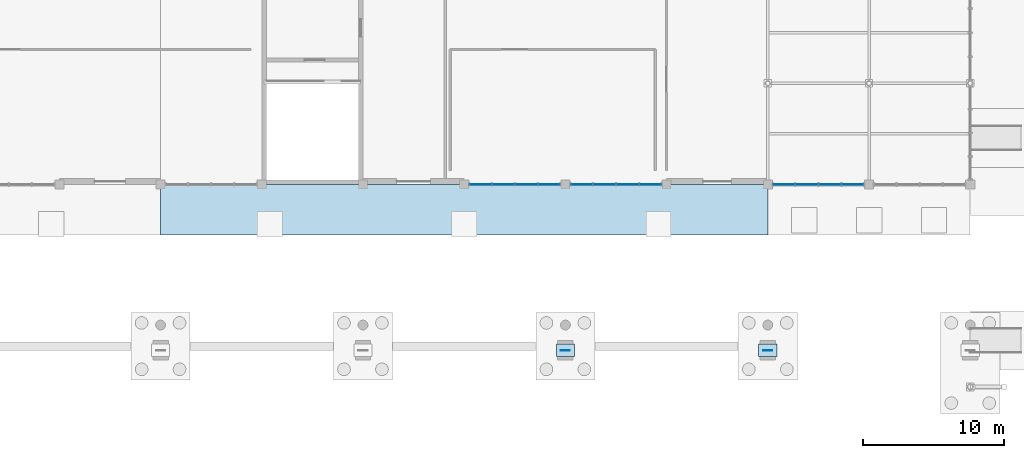
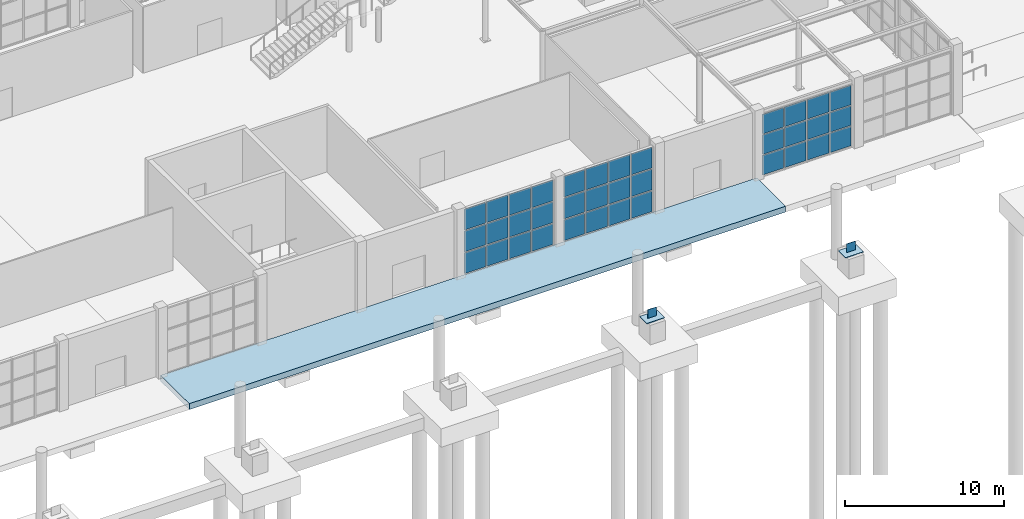
# One storey, part 42 of 75: 40 plates, 1 slab, 3 elements without a shape of their own.
"""IFC4 building model written with IfcOpenShell, lengths in metres."""

from ifc_helpers import new_model, si_unit, direction, frame, origin, origin_2d, place, context, subcontext, project, spatial, polyline, rectangle, outline, extrude, material, layer, layer_set, type_object, element, aggregate, save


model = new_model("IFC4")

# Units and contexts
model_context = context("Model", 3, precision=1e-05, world=origin(), true_north=direction((0.0, 1.0)))
body_context = subcontext(model_context, "Body", "Model", "MODEL_VIEW")
ifc_project = project(units=[si_unit("LENGTHUNIT", "METRE"), si_unit("AREAUNIT", "SQUARE_METRE"), si_unit("VOLUMEUNIT", "CUBIC_METRE"), si_unit("PLANEANGLEUNIT", "RADIAN"), si_unit("MASSUNIT", "GRAM", prefix="KILO")], contexts=[model_context])

# Site, building, storey
site_placement = place(None, origin())
site = spatial("IfcSite", under=ifc_project, at=site_placement, CompositionType="ELEMENT")
building_placement = place(site_placement, origin())
building = spatial("IfcBuilding", under=site, at=building_placement, Name="Leyfeld Transit Interchange", CompositionType="ELEMENT")
storey_placement = place(building_placement, origin())
storey = spatial("IfcBuildingStorey", under=building, at=storey_placement, Name="L00", CompositionType="ELEMENT", Elevation=0.0)

# Curtain wall, plates
ifc_material_1 = material(Name="Anodised aluminium EN AW-6060 T66", Category="aluminium")
curtain_wall_type = type_object("IfcCurtainWallType", Name="CW-SYS-ARC-7200", PredefinedType="NOTDEFINED", material=ifc_material_1)
curtain_wall_1_placement = place(storey_placement, origin())
curtain_wall_1 = element("IfcCurtainWall", 1, at=curtain_wall_1_placement, inside=storey, type_object=curtain_wall_type, Name="Curtain Wall CW-L00-033", PredefinedType="NOTDEFINED")
ifc_material_2 = material(Name="Triple low-E insulated glazing", Category="glass")
ifc_layer_1 = layer(ifc_material_2, 0.0439453125, Name="Triple low-E insulated glazing")
ifc_layer_set_1 = layer_set([ifc_layer_1], Name="Triple low-E insulated glazing")
plate_type_1 = type_object("IfcPlateType", Name="CW-PNL-GLZ-44", PredefinedType="CURTAIN_PANEL", material=ifc_layer_set_1)
plate_1_placement = place(storey_placement, frame((92.4423828125, 14.39990234375, 0.08349609375), z_axis=(0.0, 0.0, 1.0), x_axis=(-1.0, 0.0, 0.0)))
plate_1 = element("IfcPlate", 2, at=plate_1_placement, type_object=plate_type_1, Name="Glazed Curtain Panel CW-L00-033-P01_1", PredefinedType="CURTAIN_PANEL", context=body_context, shape_type="SweptSolid", body=[
    extrude(rectangle(XDim=1.51806640625, YDim=0.0439453125, at=origin_2d()), origin(), (0.0, 0.0, 1.0), 1.48974609375),
])
plate_2_placement = place(storey_placement, frame((92.4423828125, 14.39990234375, 1.6552734375), z_axis=(0.0, 0.0, 1.0), x_axis=(-1.0, 0.0, 0.0)))
plate_2 = element("IfcPlate", 3, at=plate_2_placement, type_object=plate_type_1, Name="Glazed Curtain Panel CW-L00-033-P01_2", PredefinedType="CURTAIN_PANEL", context=body_context, shape_type="SweptSolid", body=[
    extrude(rectangle(XDim=1.51806640625, YDim=0.0439453125, at=origin_2d()), origin(), (0.0, 0.0, 1.0), 1.489501953125),
])
plate_3_placement = place(storey_placement, frame((92.4423828125, 14.39990234375, 3.226806640625), z_axis=(0.0, 0.0, 1.0), x_axis=(-1.0, 0.0, 0.0)))
plate_3 = element("IfcPlate", 4, at=plate_3_placement, type_object=plate_type_1, Name="Glazed Curtain Panel CW-L00-033-P01_3", PredefinedType="CURTAIN_PANEL", context=body_context, shape_type="SweptSolid", body=[
    extrude(rectangle(XDim=1.51806640625, YDim=0.0439453125, at=origin_2d()), origin(), (0.0, 0.0, 1.0), 1.48974609375),
])
plate_4_placement = place(storey_placement, frame((90.8212890625, 14.39990234375, 0.08349609375), z_axis=(0.0, 0.0, 1.0), x_axis=(-1.0, 0.0, 0.0)))
plate_4 = element("IfcPlate", 5, at=plate_4_placement, type_object=plate_type_1, Name="Glazed Curtain Panel CW-L00-033-P02_1", PredefinedType="CURTAIN_PANEL", context=body_context, shape_type="SweptSolid", body=[
    extrude(rectangle(XDim=1.560546875, YDim=0.0439453125, at=origin_2d()), origin(), (0.0, 0.0, 1.0), 1.48974609375),
])
plate_5_placement = place(storey_placement, frame((90.8212890625, 14.39990234375, 1.6552734375), z_axis=(0.0, 0.0, 1.0), x_axis=(-1.0, 0.0, 0.0)))
plate_5 = element("IfcPlate", 6, at=plate_5_placement, type_object=plate_type_1, Name="Glazed Curtain Panel CW-L00-033-P02_2", PredefinedType="CURTAIN_PANEL", context=body_context, shape_type="SweptSolid", body=[
    extrude(rectangle(XDim=1.560546875, YDim=0.0439453125, at=origin_2d()), origin(), (0.0, 0.0, 1.0), 1.489501953125),
])
plate_6_placement = place(storey_placement, frame((90.8212890625, 14.39990234375, 3.226806640625), z_axis=(0.0, 0.0, 1.0), x_axis=(-1.0, 0.0, 0.0)))
plate_6 = element("IfcPlate", 7, at=plate_6_placement, type_object=plate_type_1, Name="Glazed Curtain Panel CW-L00-033-P02_3", PredefinedType="CURTAIN_PANEL", context=body_context, shape_type="SweptSolid", body=[
    extrude(rectangle(XDim=1.560546875, YDim=0.0439453125, at=origin_2d()), origin(), (0.0, 0.0, 1.0), 1.48974609375),
])
plate_7_placement = place(storey_placement, frame((89.1787109375, 14.39990234375, 0.08349609375), z_axis=(0.0, 0.0, 1.0), x_axis=(-1.0, 0.0, 0.0)))
plate_7 = element("IfcPlate", 8, at=plate_7_placement, type_object=plate_type_1, Name="Glazed Curtain Panel CW-L00-033-P03_1", PredefinedType="CURTAIN_PANEL", context=body_context, shape_type="SweptSolid", body=[
    extrude(rectangle(XDim=1.560546875, YDim=0.0439453125, at=origin_2d()), origin(), (0.0, 0.0, 1.0), 1.48974609375),
])
plate_8_placement = place(storey_placement, frame((89.1787109375, 14.39990234375, 1.6552734375), z_axis=(0.0, 0.0, 1.0), x_axis=(-1.0, 0.0, 0.0)))
plate_8 = element("IfcPlate", 9, at=plate_8_placement, type_object=plate_type_1, Name="Glazed Curtain Panel CW-L00-033-P03_2", PredefinedType="CURTAIN_PANEL", context=body_context, shape_type="SweptSolid", body=[
    extrude(rectangle(XDim=1.560546875, YDim=0.0439453125, at=origin_2d()), origin(), (0.0, 0.0, 1.0), 1.489501953125),
])
plate_9_placement = place(storey_placement, frame((89.1787109375, 14.39990234375, 3.226806640625), z_axis=(0.0, 0.0, 1.0), x_axis=(-1.0, 0.0, 0.0)))
plate_9 = element("IfcPlate", 10, at=plate_9_placement, type_object=plate_type_1, Name="Glazed Curtain Panel CW-L00-033-P03_3", PredefinedType="CURTAIN_PANEL", context=body_context, shape_type="SweptSolid", body=[
    extrude(rectangle(XDim=1.560546875, YDim=0.0439453125, at=origin_2d()), origin(), (0.0, 0.0, 1.0), 1.48974609375),
])
plate_10_placement = place(storey_placement, frame((87.5576171875, 14.39990234375, 0.08349609375), z_axis=(0.0, 0.0, 1.0), x_axis=(-1.0, 0.0, 0.0)))
plate_10 = element("IfcPlate", 11, at=plate_10_placement, type_object=plate_type_1, Name="Glazed Curtain Panel CW-L00-033-P04_1", PredefinedType="CURTAIN_PANEL", context=body_context, shape_type="SweptSolid", body=[
    extrude(rectangle(XDim=1.51806640625, YDim=0.0439453125, at=origin_2d()), origin(), (0.0, 0.0, 1.0), 1.48974609375),
])
plate_11_placement = place(storey_placement, frame((87.5576171875, 14.39990234375, 1.6552734375), z_axis=(0.0, 0.0, 1.0), x_axis=(-1.0, 0.0, 0.0)))
plate_11 = element("IfcPlate", 12, at=plate_11_placement, type_object=plate_type_1, Name="Glazed Curtain Panel CW-L00-033-P04_2", PredefinedType="CURTAIN_PANEL", context=body_context, shape_type="SweptSolid", body=[
    extrude(rectangle(XDim=1.51806640625, YDim=0.0439453125, at=origin_2d()), origin(), (0.0, 0.0, 1.0), 1.489501953125),
])
plate_12_placement = place(storey_placement, frame((87.5576171875, 14.39990234375, 3.226806640625), z_axis=(0.0, 0.0, 1.0), x_axis=(-1.0, 0.0, 0.0)))
plate_12 = element("IfcPlate", 13, at=plate_12_placement, type_object=plate_type_1, Name="Glazed Curtain Panel CW-L00-033-P04_3", PredefinedType="CURTAIN_PANEL", context=body_context, shape_type="SweptSolid", body=[
    extrude(rectangle(XDim=1.51806640625, YDim=0.0439453125, at=origin_2d()), origin(), (0.0, 0.0, 1.0), 1.48974609375),
])
aggregate(curtain_wall_1, [plate_1, plate_2, plate_3, plate_4, plate_5, plate_6, plate_7, plate_8, plate_9, plate_10, plate_11, plate_12])

curtain_wall_2_placement = place(storey_placement, origin())
curtain_wall_2 = element("IfcCurtainWall", 14, at=curtain_wall_2_placement, inside=storey, type_object=curtain_wall_type, Name="Curtain Wall CW-L00-034", PredefinedType="NOTDEFINED")
plate_13_placement = place(storey_placement, frame((78.04248046875, 14.39990234375, 0.08349609375), z_axis=(0.0, 0.0, 1.0), x_axis=(-1.0, 0.0, 0.0)))
plate_13 = element("IfcPlate", 15, at=plate_13_placement, type_object=plate_type_1, Name="Glazed Curtain Panel CW-L00-034-P01_1", PredefinedType="CURTAIN_PANEL", context=body_context, shape_type="SweptSolid", body=[
    extrude(rectangle(XDim=1.51806640625, YDim=0.0439453125, at=origin_2d()), origin(), (0.0, 0.0, 1.0), 1.589599609375),
])
plate_14_placement = place(storey_placement, frame((78.04248046875, 14.39990234375, 1.75537109375), z_axis=(0.0, 0.0, 1.0), x_axis=(-1.0, 0.0, 0.0)))
plate_14 = element("IfcPlate", 16, at=plate_14_placement, type_object=plate_type_1, Name="Glazed Curtain Panel CW-L00-034-P01_2", PredefinedType="CURTAIN_PANEL", context=body_context, shape_type="SweptSolid", body=[
    extrude(rectangle(XDim=1.51806640625, YDim=0.0439453125, at=origin_2d()), origin(), (0.0, 0.0, 1.0), 1.589599609375),
])
plate_15_placement = place(storey_placement, frame((78.04248046875, 14.39990234375, 3.4267578125), z_axis=(0.0, 0.0, 1.0), x_axis=(-1.0, 0.0, 0.0)))
plate_15 = element("IfcPlate", 17, at=plate_15_placement, type_object=plate_type_1, Name="Glazed Curtain Panel CW-L00-034-P01_3", PredefinedType="CURTAIN_PANEL", context=body_context, shape_type="SweptSolid", body=[
    extrude(rectangle(XDim=1.51806640625, YDim=0.0439453125, at=origin_2d()), origin(), (0.0, 0.0, 1.0), 1.589599609375),
])
plate_16_placement = place(storey_placement, frame((76.42138671875, 14.39990234375, 0.08349609375), z_axis=(0.0, 0.0, 1.0), x_axis=(-1.0, 0.0, 0.0)))
plate_16 = element("IfcPlate", 18, at=plate_16_placement, type_object=plate_type_1, Name="Glazed Curtain Panel CW-L00-034-P02_1", PredefinedType="CURTAIN_PANEL", context=body_context, shape_type="SweptSolid", body=[
    extrude(rectangle(XDim=1.560546875, YDim=0.0439453125, at=origin_2d()), origin(), (0.0, 0.0, 1.0), 1.589599609375),
])
plate_17_placement = place(storey_placement, frame((76.42138671875, 14.39990234375, 1.75537109375), z_axis=(0.0, 0.0, 1.0), x_axis=(-1.0, 0.0, 0.0)))
plate_17 = element("IfcPlate", 19, at=plate_17_placement, type_object=plate_type_1, Name="Glazed Curtain Panel CW-L00-034-P02_2", PredefinedType="CURTAIN_PANEL", context=body_context, shape_type="SweptSolid", body=[
    extrude(rectangle(XDim=1.560546875, YDim=0.0439453125, at=origin_2d()), origin(), (0.0, 0.0, 1.0), 1.589599609375),
])
plate_18_placement = place(storey_placement, frame((76.42138671875, 14.39990234375, 3.4267578125), z_axis=(0.0, 0.0, 1.0), x_axis=(-1.0, 0.0, 0.0)))
plate_18 = element("IfcPlate", 20, at=plate_18_placement, type_object=plate_type_1, Name="Glazed Curtain Panel CW-L00-034-P02_3", PredefinedType="CURTAIN_PANEL", context=body_context, shape_type="SweptSolid", body=[
    extrude(rectangle(XDim=1.560546875, YDim=0.0439453125, at=origin_2d()), origin(), (0.0, 0.0, 1.0), 1.589599609375),
])
plate_19_placement = place(storey_placement, frame((74.77880859375, 14.39990234375, 0.08349609375), z_axis=(0.0, 0.0, 1.0), x_axis=(-1.0, 0.0, 0.0)))
plate_19 = element("IfcPlate", 21, at=plate_19_placement, type_object=plate_type_1, Name="Glazed Curtain Panel CW-L00-034-P03_1", PredefinedType="CURTAIN_PANEL", context=body_context, shape_type="SweptSolid", body=[
    extrude(rectangle(XDim=1.560546875, YDim=0.0439453125, at=origin_2d()), origin(), (0.0, 0.0, 1.0), 1.589599609375),
])
plate_20_placement = place(storey_placement, frame((74.77880859375, 14.39990234375, 1.75537109375), z_axis=(0.0, 0.0, 1.0), x_axis=(-1.0, 0.0, 0.0)))
plate_20 = element("IfcPlate", 22, at=plate_20_placement, type_object=plate_type_1, Name="Glazed Curtain Panel CW-L00-034-P03_2", PredefinedType="CURTAIN_PANEL", context=body_context, shape_type="SweptSolid", body=[
    extrude(rectangle(XDim=1.560546875, YDim=0.0439453125, at=origin_2d()), origin(), (0.0, 0.0, 1.0), 1.589599609375),
])
plate_21_placement = place(storey_placement, frame((74.77880859375, 14.39990234375, 3.4267578125), z_axis=(0.0, 0.0, 1.0), x_axis=(-1.0, 0.0, 0.0)))
plate_21 = element("IfcPlate", 23, at=plate_21_placement, type_object=plate_type_1, Name="Glazed Curtain Panel CW-L00-034-P03_3", PredefinedType="CURTAIN_PANEL", context=body_context, shape_type="SweptSolid", body=[
    extrude(rectangle(XDim=1.560546875, YDim=0.0439453125, at=origin_2d()), origin(), (0.0, 0.0, 1.0), 1.589599609375),
])
plate_22_placement = place(storey_placement, frame((73.157470703125, 14.39990234375, 0.08349609375), z_axis=(0.0, 0.0, 1.0), x_axis=(-1.0, 0.0, 0.0)))
plate_22 = element("IfcPlate", 24, at=plate_22_placement, type_object=plate_type_1, Name="Glazed Curtain Panel CW-L00-034-P04_1", PredefinedType="CURTAIN_PANEL", context=body_context, shape_type="SweptSolid", body=[
    extrude(rectangle(XDim=1.51806640625, YDim=0.0439453125, at=origin_2d()), origin(), (0.0, 0.0, 1.0), 1.589599609375),
])
plate_23_placement = place(storey_placement, frame((73.157470703125, 14.39990234375, 1.75537109375), z_axis=(0.0, 0.0, 1.0), x_axis=(-1.0, 0.0, 0.0)))
plate_23 = element("IfcPlate", 25, at=plate_23_placement, type_object=plate_type_1, Name="Glazed Curtain Panel CW-L00-034-P04_2", PredefinedType="CURTAIN_PANEL", context=body_context, shape_type="SweptSolid", body=[
    extrude(rectangle(XDim=1.51806640625, YDim=0.0439453125, at=origin_2d()), origin(), (0.0, 0.0, 1.0), 1.589599609375),
])
plate_24_placement = place(storey_placement, frame((73.157470703125, 14.39990234375, 3.4267578125), z_axis=(0.0, 0.0, 1.0), x_axis=(-1.0, 0.0, 0.0)))
plate_24 = element("IfcPlate", 26, at=plate_24_placement, type_object=plate_type_1, Name="Glazed Curtain Panel CW-L00-034-P04_3", PredefinedType="CURTAIN_PANEL", context=body_context, shape_type="SweptSolid", body=[
    extrude(rectangle(XDim=1.51806640625, YDim=0.0439453125, at=origin_2d()), origin(), (0.0, 0.0, 1.0), 1.589599609375),
])
aggregate(curtain_wall_2, [plate_13, plate_14, plate_15, plate_16, plate_17, plate_18, plate_19, plate_20, plate_21, plate_22, plate_23, plate_24])

curtain_wall_3_placement = place(storey_placement, origin())
curtain_wall_3 = element("IfcCurtainWall", 27, at=curtain_wall_3_placement, inside=storey, type_object=curtain_wall_type, Name="Curtain Wall CW-L00-035", PredefinedType="NOTDEFINED")
plate_25_placement = place(storey_placement, frame((70.842529296875, 14.39990234375, 0.08349609375), z_axis=(0.0, 0.0, 1.0), x_axis=(-1.0, 0.0, 0.0)))
plate_25 = element("IfcPlate", 28, at=plate_25_placement, type_object=plate_type_1, Name="Glazed Curtain Panel CW-L00-035-P01_1", PredefinedType="CURTAIN_PANEL", context=body_context, shape_type="SweptSolid", body=[
    extrude(rectangle(XDim=1.51806640625, YDim=0.0439453125, at=origin_2d()), origin(), (0.0, 0.0, 1.0), 1.589599609375),
])
plate_26_placement = place(storey_placement, frame((70.842529296875, 14.39990234375, 1.75537109375), z_axis=(0.0, 0.0, 1.0), x_axis=(-1.0, 0.0, 0.0)))
plate_26 = element("IfcPlate", 29, at=plate_26_placement, type_object=plate_type_1, Name="Glazed Curtain Panel CW-L00-035-P01_2", PredefinedType="CURTAIN_PANEL", context=body_context, shape_type="SweptSolid", body=[
    extrude(rectangle(XDim=1.51806640625, YDim=0.0439453125, at=origin_2d()), origin(), (0.0, 0.0, 1.0), 1.589599609375),
])
plate_27_placement = place(storey_placement, frame((70.842529296875, 14.39990234375, 3.4267578125), z_axis=(0.0, 0.0, 1.0), x_axis=(-1.0, 0.0, 0.0)))
plate_27 = element("IfcPlate", 30, at=plate_27_placement, type_object=plate_type_1, Name="Glazed Curtain Panel CW-L00-035-P01_3", PredefinedType="CURTAIN_PANEL", context=body_context, shape_type="SweptSolid", body=[
    extrude(rectangle(XDim=1.51806640625, YDim=0.0439453125, at=origin_2d()), origin(), (0.0, 0.0, 1.0), 1.589599609375),
])
plate_28_placement = place(storey_placement, frame((69.22119140625, 14.39990234375, 0.08349609375), z_axis=(0.0, 0.0, 1.0), x_axis=(-1.0, 0.0, 0.0)))
plate_28 = element("IfcPlate", 31, at=plate_28_placement, type_object=plate_type_1, Name="Glazed Curtain Panel CW-L00-035-P02_1", PredefinedType="CURTAIN_PANEL", context=body_context, shape_type="SweptSolid", body=[
    extrude(rectangle(XDim=1.560546875, YDim=0.0439453125, at=origin_2d()), origin(), (0.0, 0.0, 1.0), 1.589599609375),
])
plate_29_placement = place(storey_placement, frame((69.22119140625, 14.39990234375, 1.75537109375), z_axis=(0.0, 0.0, 1.0), x_axis=(-1.0, 0.0, 0.0)))
plate_29 = element("IfcPlate", 32, at=plate_29_placement, type_object=plate_type_1, Name="Glazed Curtain Panel CW-L00-035-P02_2", PredefinedType="CURTAIN_PANEL", context=body_context, shape_type="SweptSolid", body=[
    extrude(rectangle(XDim=1.560546875, YDim=0.0439453125, at=origin_2d()), origin(), (0.0, 0.0, 1.0), 1.589599609375),
])
plate_30_placement = place(storey_placement, frame((69.22119140625, 14.39990234375, 3.4267578125), z_axis=(0.0, 0.0, 1.0), x_axis=(-1.0, 0.0, 0.0)))
plate_30 = element("IfcPlate", 33, at=plate_30_placement, type_object=plate_type_1, Name="Glazed Curtain Panel CW-L00-035-P02_3", PredefinedType="CURTAIN_PANEL", context=body_context, shape_type="SweptSolid", body=[
    extrude(rectangle(XDim=1.560546875, YDim=0.0439453125, at=origin_2d()), origin(), (0.0, 0.0, 1.0), 1.589599609375),
])
plate_31_placement = place(storey_placement, frame((67.57861328125, 14.39990234375, 0.08349609375), z_axis=(0.0, 0.0, 1.0), x_axis=(-1.0, 0.0, 0.0)))
plate_31 = element("IfcPlate", 34, at=plate_31_placement, type_object=plate_type_1, Name="Glazed Curtain Panel CW-L00-035-P03_1", PredefinedType="CURTAIN_PANEL", context=body_context, shape_type="SweptSolid", body=[
    extrude(rectangle(XDim=1.560546875, YDim=0.0439453125, at=origin_2d()), origin(), (0.0, 0.0, 1.0), 1.589599609375),
])
plate_32_placement = place(storey_placement, frame((67.57861328125, 14.39990234375, 1.75537109375), z_axis=(0.0, 0.0, 1.0), x_axis=(-1.0, 0.0, 0.0)))
plate_32 = element("IfcPlate", 35, at=plate_32_placement, type_object=plate_type_1, Name="Glazed Curtain Panel CW-L00-035-P03_2", PredefinedType="CURTAIN_PANEL", context=body_context, shape_type="SweptSolid", body=[
    extrude(rectangle(XDim=1.560546875, YDim=0.0439453125, at=origin_2d()), origin(), (0.0, 0.0, 1.0), 1.589599609375),
])
plate_33_placement = place(storey_placement, frame((67.57861328125, 14.39990234375, 3.4267578125), z_axis=(0.0, 0.0, 1.0), x_axis=(-1.0, 0.0, 0.0)))
plate_33 = element("IfcPlate", 36, at=plate_33_placement, type_object=plate_type_1, Name="Glazed Curtain Panel CW-L00-035-P03_3", PredefinedType="CURTAIN_PANEL", context=body_context, shape_type="SweptSolid", body=[
    extrude(rectangle(XDim=1.560546875, YDim=0.0439453125, at=origin_2d()), origin(), (0.0, 0.0, 1.0), 1.589599609375),
])
plate_34_placement = place(storey_placement, frame((65.95751953125, 14.39990234375, 0.08349609375), z_axis=(0.0, 0.0, 1.0), x_axis=(-1.0, 0.0, 0.0)))
plate_34 = element("IfcPlate", 37, at=plate_34_placement, type_object=plate_type_1, Name="Glazed Curtain Panel CW-L00-035-P04_1", PredefinedType="CURTAIN_PANEL", context=body_context, shape_type="SweptSolid", body=[
    extrude(rectangle(XDim=1.51806640625, YDim=0.0439453125, at=origin_2d()), origin(), (0.0, 0.0, 1.0), 1.589599609375),
])
plate_35_placement = place(storey_placement, frame((65.95751953125, 14.39990234375, 1.75537109375), z_axis=(0.0, 0.0, 1.0), x_axis=(-1.0, 0.0, 0.0)))
plate_35 = element("IfcPlate", 38, at=plate_35_placement, type_object=plate_type_1, Name="Glazed Curtain Panel CW-L00-035-P04_2", PredefinedType="CURTAIN_PANEL", context=body_context, shape_type="SweptSolid", body=[
    extrude(rectangle(XDim=1.51806640625, YDim=0.0439453125, at=origin_2d()), origin(), (0.0, 0.0, 1.0), 1.589599609375),
])
plate_36_placement = place(storey_placement, frame((65.95751953125, 14.39990234375, 3.4267578125), z_axis=(0.0, 0.0, 1.0), x_axis=(-1.0, 0.0, 0.0)))
plate_36 = element("IfcPlate", 39, at=plate_36_placement, type_object=plate_type_1, Name="Glazed Curtain Panel CW-L00-035-P04_3", PredefinedType="CURTAIN_PANEL", context=body_context, shape_type="SweptSolid", body=[
    extrude(rectangle(XDim=1.51806640625, YDim=0.0439453125, at=origin_2d()), origin(), (0.0, 0.0, 1.0), 1.589599609375),
])
aggregate(curtain_wall_3, [plate_25, plate_26, plate_27, plate_28, plate_29, plate_30, plate_31, plate_32, plate_33, plate_34, plate_35, plate_36])

# Plates
ifc_material_3 = material(Name="Steel S355J2", Category="steel")
ifc_layer_2 = layer(ifc_material_3, 0.035888671875, Name="Steel S355J2")
ifc_layer_set_2 = layer_set([ifc_layer_2], Name="Steel S355J2")
plate_type_2 = type_object("IfcPlateType", Name="PLT-BASE-36", PredefinedType="USERDEFINED", material=ifc_layer_set_2)
for number, where, z_axis, x_axis, name in (
    (40, (72.0, 2.60009765625, 1.5), (0.0, 0.0, 1.0), (1.0, 0.0, 0.0), "Arch Baseplate AR-05 1"),
    (41, (86.39990234375, 2.60009765625, 1.5), (0.0, 0.0, 1.0), (1.0, 0.0, 0.0), "Arch Baseplate AR-06 1"),
):
    element("IfcPlate", number, at=place(storey_placement, frame(where, z_axis=z_axis, x_axis=x_axis)), inside=storey, type_object=plate_type_2, Name=name, ObjectType="BASE_PLATE", PredefinedType="USERDEFINED", context=body_context, shape_type="SweptSolid", body=[
        extrude(rectangle(XDim=1.300048828125, YDim=0.89990234375, at=origin_2d()), origin(), (0.0, 0.0, 1.0), 0.035888671875),
    ])
ifc_material_4 = material(Name="Steel S355J2 - Ochre Arch", Category="steel")
ifc_layer_3 = layer(ifc_material_4, 0.030029296875, Name="Steel S355J2 - Ochre Arch")
ifc_layer_set_3 = layer_set([ifc_layer_3], Name="Steel S355J2 - Ochre Arch")
plate_type_3 = type_object("IfcPlateType", Name="PLT-CAP-30", PredefinedType="USERDEFINED", material=ifc_layer_set_3)
for number, where, z_axis, x_axis, name in (
    (42, (72.0, 2.60009765625, 1.099853515625), (0.0, 0.0, 1.0), (1.0, 0.0, 0.0), "Arch End Cap Plate AR-05 1"),
    (43, (86.39990234375, 2.60009765625, 1.099853515625), (0.0, 0.0, 1.0), (1.0, 0.0, 0.0), "Arch End Cap Plate AR-06 1"),
):
    element("IfcPlate", number, at=place(storey_placement, frame(where, z_axis=z_axis, x_axis=x_axis)), inside=storey, type_object=plate_type_3, Name=name, ObjectType="FLANGE_PLATE", PredefinedType="USERDEFINED", context=body_context, shape_type="SweptSolid", body=[
        extrude(rectangle(XDim=0.64990234375, YDim=0.030029296875, at=origin_2d()), origin(), (0.0, 0.0, 1.0), 1.10009765625),
    ])

# Slab
ifc_material_5 = material(Name="Concrete C40/50", Category="concrete")
ifc_layer_4 = layer(ifc_material_5, 0.449951171875, Name="Concrete C40/50")
ifc_layer_set_4 = layer_set([ifc_layer_4], Name="Concrete C40/50")
slab_type = type_object("IfcSlabType", Name="SLB-TRF-450", PredefinedType="FLOOR", material=ifc_layer_set_4)
slab_placement = place(storey_placement, frame((0.0, 0.0, -0.449951171875)))
element("IfcSlab", 44, at=slab_placement, inside=storey, type_object=slab_type, Name="Outdoor Roof Terrace PLZ_LID1 L00", PredefinedType="FLOOR", context=body_context, shape_type="SweptSolid", body=[
    extrude(outline(polyline([(43.199951171875, 14.39990234375), (43.199951171875, 10.800048828125), (86.39990234375, 10.800048828125), (86.39990234375, 14.39990234375), (43.199951171875, 14.39990234375)])), origin(), (0.0, 0.0, 1.0), 0.449951171875),
])

save(model, "model.ifc")
